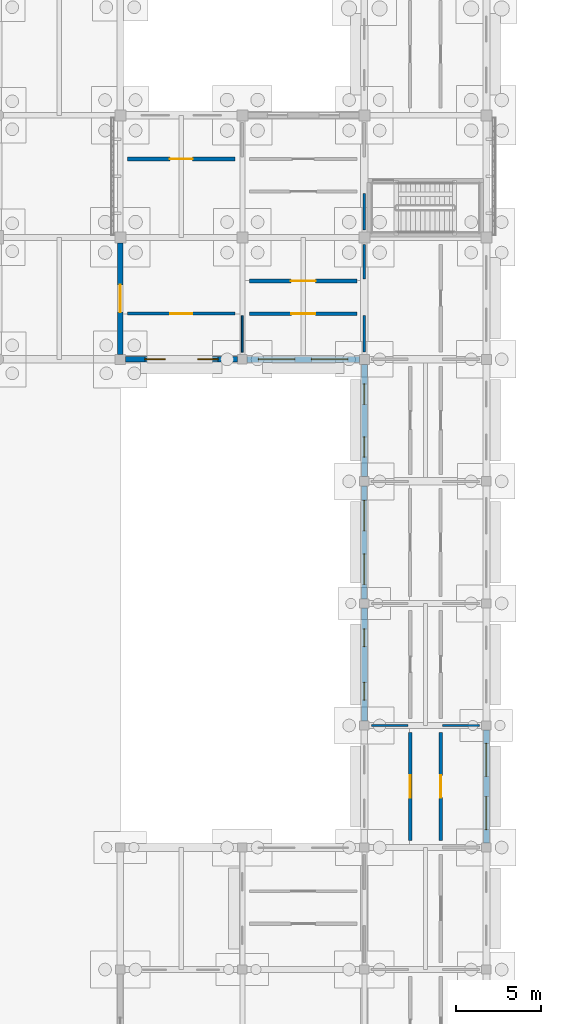
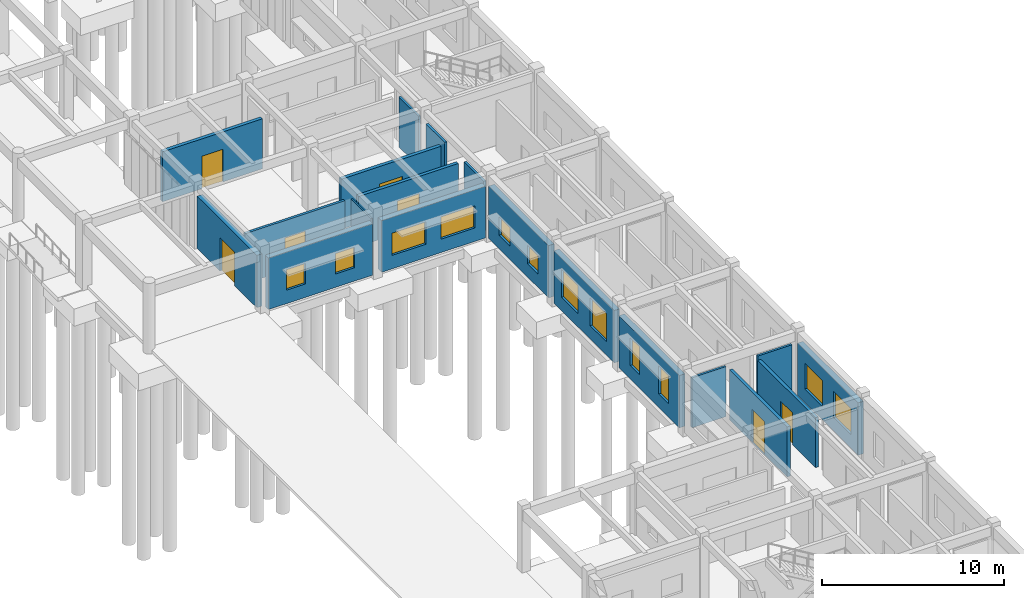
# One storey, part 78 of 111: 19 walls, 12 windows, 7 doors, 19 openings.
"""IFC4 building model written with IfcOpenShell, lengths in metres."""

from ifc_helpers import new_model, si_unit, direction, frame, frame_2d, origin, place, context, subcontext, project, spatial, rectangle, extrude, material, layer, layer_set, type_object, element, fill, save


model = new_model("IFC4")

# Units and contexts
model_context = context("Model", 3, precision=1e-05, world=origin(), true_north=direction((0.0, 1.0)))
body_context = subcontext(model_context, "Body", "Model", "MODEL_VIEW")
ifc_project = project(units=[si_unit("LENGTHUNIT", "METRE"), si_unit("AREAUNIT", "SQUARE_METRE"), si_unit("VOLUMEUNIT", "CUBIC_METRE"), si_unit("PLANEANGLEUNIT", "RADIAN"), si_unit("MASSUNIT", "GRAM", prefix="KILO")], contexts=[model_context])

# Site, building, storey
site_placement = place(None, origin())
site = spatial("IfcSite", under=ifc_project, at=site_placement, CompositionType="ELEMENT")
building_placement = place(site_placement, origin())
building = spatial("IfcBuilding", under=site, at=building_placement, Name="Aldebral Square Health Centre", CompositionType="ELEMENT")
storey_placement = place(building_placement, origin())
storey = spatial("IfcBuildingStorey", under=building, at=storey_placement, Name="L00", CompositionType="ELEMENT", Elevation=0.0)

# Wall, openings, windows
ifc_material_1 = material(Name="Cream cantera stone and concrete wall C35/45", Category="masonry")
ifc_layer_1 = layer(ifc_material_1, 0.340087890625, Name="Cream cantera stone and concrete wall C35/45", Category="masonry")
ifc_layer_set_1 = layer_set([ifc_layer_1], Name="Cream cantera stone and concrete wall C35/45")
wall_type_1 = type_object("IfcWallType", Name="EW-CAN-340", PredefinedType="SOLIDWALL", material=ifc_layer_set_1)
wall_1_placement = place(storey_placement, frame((144.300048828125, 50.39990234375, 0.0), z_axis=(0.0, 0.0, 1.0), x_axis=(1.0, 0.0, 0.0)))
wall_1 = element("IfcWall", 1, at=wall_1_placement, inside=storey, type_object=wall_type_1, Name="L00 V5 exterior wall L00-V5-20-07-S", PredefinedType="SOLIDWALL", context=body_context, shape_type="SweptSolid", body=[
    extrude(rectangle(XDim=6.625, YDim=0.340087890625, at=frame_2d((3.3125, 0.0))), origin(), (0.0, 0.0, 1.0), 3.469970703125),
])
opening_1_placement = place(wall_1_placement, frame((1.14990234375, 0.0, 0.89990234375)))
opening_1 = element("IfcOpeningElement", 2, at=opening_1_placement, cuts=wall_1, Name="Opening W12", PredefinedType="OPENING", context=body_context, shape_type="SweptSolid", body=[
    extrude(rectangle(XDim=1.199951171875, YDim=1.3798828125, at=frame_2d((0.60009765625, 0.68994140625))), frame((0.0, 0.18017578125, 0.0), z_axis=(0.0, -1.0, 0.0), x_axis=(1.0, 0.0, 0.0)), (0.0, 0.0, 1.0), 0.360107421875),
])
opening_2_placement = place(wall_1_placement, frame((4.27490234375, 0.0, 0.89990234375)))
opening_2 = element("IfcOpeningElement", 3, at=opening_2_placement, cuts=wall_1, Name="Opening W12", PredefinedType="OPENING", context=body_context, shape_type="SweptSolid", body=[
    extrude(rectangle(XDim=1.199951171875, YDim=1.3798828125, at=frame_2d((0.60009765625, 0.68994140625))), frame((0.0, 0.18017578125, 0.0), z_axis=(0.0, -1.0, 0.0), x_axis=(1.0, 0.0, 0.0)), (0.0, 0.0, 1.0), 0.360107421875),
])
ifc_material_2 = material(Name="Thermally broken aluminium and low-E glass", Category="aluminium")
window_type_1 = type_object("IfcWindowType", Name="WIN-W12", PartitioningType="SINGLE_PANEL", PredefinedType="WINDOW", material=ifc_material_2)
window_1_placement = place(opening_1_placement, origin())
window_1 = element("IfcWindow", 4, at=window_1_placement, inside=storey, type_object=window_type_1, Name="L00 clinical window L00-V5-20-07-S.1", OverallHeight=1.3798828125, OverallWidth=1.199951171875, PartitioningType="SINGLE_PANEL", PredefinedType="WINDOW", context=body_context, shape_type="SweptSolid", body=[
    extrude(rectangle(XDim=1.199951171875, YDim=1.3798828125, at=frame_2d((0.60009765625, 0.68994140625))), frame((0.0, 0.030029296875, 0.0), z_axis=(0.0, -1.0, 0.0), x_axis=(1.0, 0.0, 0.0)), (0.0, 0.0, 1.0), 0.06005859375),
])
fill(opening_1, window_1)
window_2_placement = place(opening_2_placement, origin())
window_2 = element("IfcWindow", 5, at=window_2_placement, inside=storey, type_object=window_type_1, Name="L00 clinical window L00-V5-20-07-S.2", OverallHeight=1.3798828125, OverallWidth=1.199951171875, PartitioningType="SINGLE_PANEL", PredefinedType="WINDOW", context=body_context, shape_type="SweptSolid", body=[
    extrude(rectangle(XDim=1.199951171875, YDim=1.3798828125, at=frame_2d((0.60009765625, 0.68994140625))), frame((0.0, 0.030029296875, 0.0), z_axis=(0.0, -1.0, 0.0), x_axis=(1.0, 0.0, 0.0)), (0.0, 0.0, 1.0), 0.06005859375),
])
fill(opening_2, window_2)

# Wall, opening, door
wall_2_placement = place(storey_placement, frame((144.0, 50.699951171875, 0.0), z_axis=(0.0, 0.0, 1.0), x_axis=(0.0, 1.0, 0.0)))
wall_2 = element("IfcWall", 6, at=wall_2_placement, inside=storey, type_object=wall_type_1, Name="L00 V5 exterior wall L00-V5-20-07-W", PredefinedType="SOLIDWALL", context=body_context, shape_type="SweptSolid", body=[
    extrude(rectangle(XDim=6.574951171875, YDim=0.340087890625, at=frame_2d((3.28759765625, 0.0))), origin(), (0.0, 0.0, 1.0), 3.52001953125),
])
opening_3_placement = place(wall_2_placement, frame((2.487548828125, 0.0, 0.0)))
opening_3 = element("IfcOpeningElement", 7, at=opening_3_placement, cuts=wall_2, Name="Opening D-EX06", PredefinedType="OPENING", context=body_context, shape_type="SweptSolid", body=[
    extrude(rectangle(XDim=1.60009765625, YDim=2.25, at=frame_2d((0.800048828125, 1.125))), frame((0.0, 0.18017578125, 0.0), z_axis=(0.0, -1.0, 0.0), x_axis=(1.0, 0.0, 0.0)), (0.0, 0.0, 1.0), 0.360107421875),
])
ifc_material_3 = material(Name="Anodised aluminium and laminated safety glass", Category="aluminium")
door_type_1 = type_object("IfcDoorType", Name="DR-EX-160", OperationType="DOUBLE_DOOR_SINGLE_SWING", PredefinedType="DOOR", material=ifc_material_3)
door_1_placement = place(opening_3_placement, origin())
door_1 = element("IfcDoor", 8, at=door_1_placement, inside=storey, type_object=door_type_1, Name="L00 exterior door D-EX06", OperationType="DOUBLE_DOOR_SINGLE_SWING", OverallHeight=2.25, OverallWidth=1.60009765625, PredefinedType="DOOR", context=body_context, shape_type="SweptSolid", body=[
    extrude(rectangle(XDim=1.60009765625, YDim=2.25, at=frame_2d((0.800048828125, 1.125))), frame((0.0, 0.02490234375, 0.0), z_axis=(0.0, -1.0, 0.0), x_axis=(1.0, 0.0, 0.0)), (0.0, 0.0, 1.0), 0.050048828125),
])
fill(opening_3, door_1)

# Wall, openings, windows
wall_3_placement = place(storey_placement, frame((165.60009765625, 21.875, 0.0), z_axis=(0.0, 0.0, 1.0), x_axis=(0.0, 1.0, 0.0)))
wall_3 = element("IfcWall", 9, at=wall_3_placement, inside=storey, type_object=wall_type_1, Name="L00 V3 exterior wall L00-V3-22-03-E", PredefinedType="SOLIDWALL", context=body_context, shape_type="SweptSolid", body=[
    extrude(rectangle(XDim=6.64990234375, YDim=0.340087890625, at=frame_2d((3.324951171875, 0.0))), origin(), (0.0, 0.0, 1.0), 3.52001953125),
])
opening_4_placement = place(wall_3_placement, frame((0.77490234375, 0.0, 0.89990234375)))
opening_4 = element("IfcOpeningElement", 10, at=opening_4_placement, cuts=wall_3, Name="Opening W44", PredefinedType="OPENING", context=body_context, shape_type="SweptSolid", body=[
    extrude(rectangle(XDim=1.949951171875, YDim=1.75, at=frame_2d((0.97509765625, 0.875))), frame((0.0, 0.18017578125, 0.0), z_axis=(0.0, -1.0, 0.0), x_axis=(1.0, 0.0, 0.0)), (0.0, 0.0, 1.0), 0.360107421875),
])
opening_5_placement = place(wall_3_placement, frame((3.925048828125, 0.0, 0.89990234375)))
opening_5 = element("IfcOpeningElement", 11, at=opening_5_placement, cuts=wall_3, Name="Opening W44", PredefinedType="OPENING", context=body_context, shape_type="SweptSolid", body=[
    extrude(rectangle(XDim=1.949951171875, YDim=1.75, at=frame_2d((0.97509765625, 0.875))), frame((0.0, 0.18017578125, 0.0), z_axis=(0.0, -1.0, 0.0), x_axis=(1.0, 0.0, 0.0)), (0.0, 0.0, 1.0), 0.360107421875),
])
window_type_2 = type_object("IfcWindowType", Name="WIN-W44", PartitioningType="SINGLE_PANEL", PredefinedType="WINDOW", material=ifc_material_2)
window_3_placement = place(opening_4_placement, origin())
window_3 = element("IfcWindow", 12, at=window_3_placement, inside=storey, type_object=window_type_2, Name="L00 clinical window L00-V3-22-03-E.1", OverallHeight=1.75, OverallWidth=1.949951171875, PartitioningType="SINGLE_PANEL", PredefinedType="WINDOW", context=body_context, shape_type="SweptSolid", body=[
    extrude(rectangle(XDim=1.949951171875, YDim=1.75, at=frame_2d((0.97509765625, 0.875))), frame((0.0, 0.030029296875, 0.0), z_axis=(0.0, -1.0, 0.0), x_axis=(1.0, 0.0, 0.0)), (0.0, 0.0, 1.0), 0.06005859375),
])
fill(opening_4, window_3)
window_4_placement = place(opening_5_placement, origin())
window_4 = element("IfcWindow", 13, at=window_4_placement, inside=storey, type_object=window_type_2, Name="L00 clinical window L00-V3-22-03-E.2", OverallHeight=1.75, OverallWidth=1.949951171875, PartitioningType="SINGLE_PANEL", PredefinedType="WINDOW", context=body_context, shape_type="SweptSolid", body=[
    extrude(rectangle(XDim=1.949951171875, YDim=1.75, at=frame_2d((0.97509765625, 0.875))), frame((0.0, 0.030029296875, 0.0), z_axis=(0.0, -1.0, 0.0), x_axis=(1.0, 0.0, 0.0)), (0.0, 0.0, 1.0), 0.06005859375),
])
fill(opening_5, window_4)

wall_4_placement = place(storey_placement, frame((158.39990234375, 42.925048828125, 0.0), z_axis=(0.0, 0.0, 1.0), x_axis=(0.0, -1.0, 0.0)))
wall_4 = element("IfcWall", 14, at=wall_4_placement, inside=storey, type_object=wall_type_1, Name="L00 V3 exterior wall L00-V3-22-05-W", PredefinedType="SOLIDWALL", context=body_context, shape_type="SweptSolid", body=[
    extrude(rectangle(XDim=6.650146484375, YDim=0.340087890625, at=frame_2d((3.3251953125, 0.0))), origin(), (0.0, 0.0, 1.0), 3.52001953125),
])
opening_6_placement = place(wall_4_placement, frame((0.85009765625, 0.0, 0.89990234375)))
opening_6 = element("IfcOpeningElement", 15, at=opening_6_placement, cuts=wall_4, Name="Opening W52", PredefinedType="OPENING", context=body_context, shape_type="SweptSolid", body=[
    extrude(rectangle(XDim=1.800048828125, YDim=1.8798828125, at=frame_2d((0.89990234375, 0.93994140625))), frame((0.0, 0.18017578125, 0.0), z_axis=(0.0, -1.0, 0.0), x_axis=(1.0, 0.0, 0.0)), (0.0, 0.0, 1.0), 0.360107421875),
])
opening_7_placement = place(wall_4_placement, frame((4.0, 0.0, 0.89990234375)))
opening_7 = element("IfcOpeningElement", 16, at=opening_7_placement, cuts=wall_4, Name="Opening W52", PredefinedType="OPENING", context=body_context, shape_type="SweptSolid", body=[
    extrude(rectangle(XDim=1.800048828125, YDim=1.8798828125, at=frame_2d((0.89990234375, 0.93994140625))), frame((0.0, 0.18017578125, 0.0), z_axis=(0.0, -1.0, 0.0), x_axis=(1.0, 0.0, 0.0)), (0.0, 0.0, 1.0), 0.360107421875),
])
window_type_3 = type_object("IfcWindowType", Name="WIN-W52", PartitioningType="SINGLE_PANEL", PredefinedType="WINDOW", material=ifc_material_2)
window_5_placement = place(opening_6_placement, origin())
window_5 = element("IfcWindow", 17, at=window_5_placement, inside=storey, type_object=window_type_3, Name="L00 clinical window L00-V3-22-05-W.1", OverallHeight=1.8798828125, OverallWidth=1.800048828125, PartitioningType="SINGLE_PANEL", PredefinedType="WINDOW", context=body_context, shape_type="SweptSolid", body=[
    extrude(rectangle(XDim=1.800048828125, YDim=1.8798828125, at=frame_2d((0.89990234375, 0.93994140625))), frame((0.0, 0.030029296875, 0.0), z_axis=(0.0, -1.0, 0.0), x_axis=(1.0, 0.0, 0.0)), (0.0, 0.0, 1.0), 0.06005859375),
])
fill(opening_6, window_5)
window_6_placement = place(opening_7_placement, origin())
window_6 = element("IfcWindow", 18, at=window_6_placement, inside=storey, type_object=window_type_3, Name="L00 clinical window L00-V3-22-05-W.2", OverallHeight=1.8798828125, OverallWidth=1.800048828125, PartitioningType="SINGLE_PANEL", PredefinedType="WINDOW", context=body_context, shape_type="SweptSolid", body=[
    extrude(rectangle(XDim=1.800048828125, YDim=1.8798828125, at=frame_2d((0.89990234375, 0.93994140625))), frame((0.0, 0.030029296875, 0.0), z_axis=(0.0, -1.0, 0.0), x_axis=(1.0, 0.0, 0.0)), (0.0, 0.0, 1.0), 0.06005859375),
])
fill(opening_7, window_6)

ifc_layer_2 = layer(ifc_material_1, 0.360107421875, Name="Cream cantera stone and concrete wall C35/45", Category="masonry")
ifc_layer_set_2 = layer_set([ifc_layer_2], Name="Cream cantera stone and concrete wall C35/45")
wall_type_2 = type_object("IfcWallType", Name="EW-CAN-360", PredefinedType="SOLIDWALL", material=ifc_layer_set_2)
wall_5_placement = place(storey_placement, frame((151.47509765625, 50.39990234375, 0.0), z_axis=(0.0, 0.0, 1.0), x_axis=(1.0, 0.0, 0.0)))
wall_5 = element("IfcWall", 19, at=wall_5_placement, inside=storey, type_object=wall_type_2, Name="L00 V5 exterior wall L00-V5-21-07-S", PredefinedType="SOLIDWALL", context=body_context, shape_type="SweptSolid", body=[
    extrude(rectangle(XDim=6.625, YDim=0.360107421875, at=frame_2d((3.3125, 0.0))), origin(), (0.0, 0.0, 1.0), 3.469970703125),
])
opening_8_placement = place(wall_5_placement, frame((0.675048828125, 0.0, 0.89990234375)))
opening_8 = element("IfcOpeningElement", 20, at=opening_8_placement, cuts=wall_5, Name="Opening W27", PredefinedType="OPENING", context=body_context, shape_type="SweptSolid", body=[
    extrude(rectangle(XDim=2.14990234375, YDim=1.5, at=frame_2d((1.074951171875, 0.75))), frame((0.0, 0.18994140625, 0.0), z_axis=(0.0, -1.0, 0.0), x_axis=(1.0, 0.0, 0.0)), (0.0, 0.0, 1.0), 0.380126953125),
])
opening_9_placement = place(wall_5_placement, frame((3.800048828125, 0.0, 0.89990234375)))
opening_9 = element("IfcOpeningElement", 21, at=opening_9_placement, cuts=wall_5, Name="Opening W27", PredefinedType="OPENING", context=body_context, shape_type="SweptSolid", body=[
    extrude(rectangle(XDim=2.14990234375, YDim=1.5, at=frame_2d((1.074951171875, 0.75))), frame((0.0, 0.18994140625, 0.0), z_axis=(0.0, -1.0, 0.0), x_axis=(1.0, 0.0, 0.0)), (0.0, 0.0, 1.0), 0.380126953125),
])
window_type_4 = type_object("IfcWindowType", Name="WIN-W27", PartitioningType="SINGLE_PANEL", PredefinedType="WINDOW", material=ifc_material_2)
window_7_placement = place(opening_8_placement, origin())
window_7 = element("IfcWindow", 22, at=window_7_placement, inside=storey, type_object=window_type_4, Name="L00 clinical window L00-V5-21-07-S.1", OverallHeight=1.5, OverallWidth=2.14990234375, PartitioningType="SINGLE_PANEL", PredefinedType="WINDOW", context=body_context, shape_type="SweptSolid", body=[
    extrude(rectangle(XDim=2.14990234375, YDim=1.5, at=frame_2d((1.074951171875, 0.75))), frame((0.0, 0.030029296875, 0.0), z_axis=(0.0, -1.0, 0.0), x_axis=(1.0, 0.0, 0.0)), (0.0, 0.0, 1.0), 0.06005859375),
])
fill(opening_8, window_7)
window_8_placement = place(opening_9_placement, origin())
window_8 = element("IfcWindow", 23, at=window_8_placement, inside=storey, type_object=window_type_4, Name="L00 clinical window L00-V5-21-07-S.2", OverallHeight=1.5, OverallWidth=2.14990234375, PartitioningType="SINGLE_PANEL", PredefinedType="WINDOW", context=body_context, shape_type="SweptSolid", body=[
    extrude(rectangle(XDim=2.14990234375, YDim=1.5, at=frame_2d((1.074951171875, 0.75))), frame((0.0, 0.030029296875, 0.0), z_axis=(0.0, -1.0, 0.0), x_axis=(1.0, 0.0, 0.0)), (0.0, 0.0, 1.0), 0.06005859375),
])
fill(opening_9, window_8)

wall_6_placement = place(storey_placement, frame((158.39990234375, 35.72509765625, 0.0), z_axis=(0.0, 0.0, 1.0), x_axis=(0.0, -1.0, 0.0)))
wall_6 = element("IfcWall", 24, at=wall_6_placement, inside=storey, type_object=wall_type_2, Name="L00 V3 exterior wall L00-V3-22-04-W", PredefinedType="SOLIDWALL", context=body_context, shape_type="SweptSolid", body=[
    extrude(rectangle(XDim=6.650146484375, YDim=0.360107421875, at=frame_2d((3.3251953125, 0.0))), origin(), (0.0, 0.0, 1.0), 3.52001953125),
])
opening_10_placement = place(wall_6_placement, frame((1.22509765625, 0.0, 0.89990234375)))
opening_10 = element("IfcOpeningElement", 25, at=opening_10_placement, cuts=wall_6, Name="Opening W47", PredefinedType="OPENING", context=body_context, shape_type="SweptSolid", body=[
    extrude(rectangle(XDim=1.050048828125, YDim=1.8798828125, at=frame_2d((0.52490234375, 0.93994140625))), frame((0.0, 0.18994140625, 0.0), z_axis=(0.0, -1.0, 0.0), x_axis=(1.0, 0.0, 0.0)), (0.0, 0.0, 1.0), 0.380126953125),
])
opening_11_placement = place(wall_6_placement, frame((4.375, 0.0, 0.89990234375)))
opening_11 = element("IfcOpeningElement", 26, at=opening_11_placement, cuts=wall_6, Name="Opening W47", PredefinedType="OPENING", context=body_context, shape_type="SweptSolid", body=[
    extrude(rectangle(XDim=1.050048828125, YDim=1.8798828125, at=frame_2d((0.52490234375, 0.93994140625))), frame((0.0, 0.18994140625, 0.0), z_axis=(0.0, -1.0, 0.0), x_axis=(1.0, 0.0, 0.0)), (0.0, 0.0, 1.0), 0.380126953125),
])
window_type_5 = type_object("IfcWindowType", Name="WIN-W47", PartitioningType="SINGLE_PANEL", PredefinedType="WINDOW", material=ifc_material_2)
window_9_placement = place(opening_10_placement, origin())
window_9 = element("IfcWindow", 27, at=window_9_placement, inside=storey, type_object=window_type_5, Name="L00 clinical window L00-V3-22-04-W.1", OverallHeight=1.8798828125, OverallWidth=1.050048828125, PartitioningType="SINGLE_PANEL", PredefinedType="WINDOW", context=body_context, shape_type="SweptSolid", body=[
    extrude(rectangle(XDim=1.050048828125, YDim=1.8798828125, at=frame_2d((0.52490234375, 0.93994140625))), frame((0.0, 0.030029296875, 0.0), z_axis=(0.0, -1.0, 0.0), x_axis=(1.0, 0.0, 0.0)), (0.0, 0.0, 1.0), 0.06005859375),
])
fill(opening_10, window_9)
window_10_placement = place(opening_11_placement, origin())
window_10 = element("IfcWindow", 28, at=window_10_placement, inside=storey, type_object=window_type_5, Name="L00 clinical window L00-V3-22-04-W.2", OverallHeight=1.8798828125, OverallWidth=1.050048828125, PartitioningType="SINGLE_PANEL", PredefinedType="WINDOW", context=body_context, shape_type="SweptSolid", body=[
    extrude(rectangle(XDim=1.050048828125, YDim=1.8798828125, at=frame_2d((0.52490234375, 0.93994140625))), frame((0.0, 0.030029296875, 0.0), z_axis=(0.0, -1.0, 0.0), x_axis=(1.0, 0.0, 0.0)), (0.0, 0.0, 1.0), 0.06005859375),
])
fill(opening_11, window_10)

wall_7_placement = place(storey_placement, frame((158.39990234375, 50.10009765625, 0.0), z_axis=(0.0, 0.0, 1.0), x_axis=(0.0, -1.0, 0.0)))
wall_7 = element("IfcWall", 29, at=wall_7_placement, inside=storey, type_object=wall_type_2, Name="L00 V3 exterior wall L00-V3-22-06-W", PredefinedType="SOLIDWALL", context=body_context, shape_type="SweptSolid", body=[
    extrude(rectangle(XDim=6.625, YDim=0.360107421875, at=frame_2d((3.3125, 0.0))), origin(), (0.0, 0.0, 1.0), 3.52001953125),
])
opening_12_placement = place(wall_7_placement, frame((1.14990234375, 0.0, 0.89990234375)))
opening_12 = element("IfcOpeningElement", 30, at=opening_12_placement, cuts=wall_7, Name="Opening W03", PredefinedType="OPENING", context=body_context, shape_type="SweptSolid", body=[
    extrude(rectangle(XDim=1.199951171875, YDim=1.25, at=frame_2d((0.60009765625, 0.625))), frame((0.0, 0.18994140625, 0.0), z_axis=(0.0, -1.0, 0.0), x_axis=(1.0, 0.0, 0.0)), (0.0, 0.0, 1.0), 0.380126953125),
])
opening_13_placement = place(wall_7_placement, frame((4.27490234375, 0.0, 0.89990234375)))
opening_13 = element("IfcOpeningElement", 31, at=opening_13_placement, cuts=wall_7, Name="Opening W03", PredefinedType="OPENING", context=body_context, shape_type="SweptSolid", body=[
    extrude(rectangle(XDim=1.199951171875, YDim=1.25, at=frame_2d((0.60009765625, 0.625))), frame((0.0, 0.18994140625, 0.0), z_axis=(0.0, -1.0, 0.0), x_axis=(1.0, 0.0, 0.0)), (0.0, 0.0, 1.0), 0.380126953125),
])
window_type_6 = type_object("IfcWindowType", Name="WIN-W03", PartitioningType="SINGLE_PANEL", PredefinedType="WINDOW", material=ifc_material_2)
window_11_placement = place(opening_12_placement, origin())
window_11 = element("IfcWindow", 32, at=window_11_placement, inside=storey, type_object=window_type_6, Name="L00 clinical window L00-V3-22-06-W.1", OverallHeight=1.25, OverallWidth=1.199951171875, PartitioningType="SINGLE_PANEL", PredefinedType="WINDOW", context=body_context, shape_type="SweptSolid", body=[
    extrude(rectangle(XDim=1.199951171875, YDim=1.25, at=frame_2d((0.60009765625, 0.625))), frame((0.0, 0.030029296875, 0.0), z_axis=(0.0, -1.0, 0.0), x_axis=(1.0, 0.0, 0.0)), (0.0, 0.0, 1.0), 0.06005859375),
])
fill(opening_12, window_11)
window_12_placement = place(opening_13_placement, origin())
window_12 = element("IfcWindow", 33, at=window_12_placement, inside=storey, type_object=window_type_6, Name="L00 clinical window L00-V3-22-06-W.2", OverallHeight=1.25, OverallWidth=1.199951171875, PartitioningType="SINGLE_PANEL", PredefinedType="WINDOW", context=body_context, shape_type="SweptSolid", body=[
    extrude(rectangle(XDim=1.199951171875, YDim=1.25, at=frame_2d((0.60009765625, 0.625))), frame((0.0, 0.030029296875, 0.0), z_axis=(0.0, -1.0, 0.0), x_axis=(1.0, 0.0, 0.0)), (0.0, 0.0, 1.0), 0.06005859375),
])
fill(opening_13, window_12)

# Wall, opening, door
ifc_material_4 = material(Name="Concrete C35/45 compartment wall", Category="concrete")
ifc_layer_3 = layer(ifc_material_4, 0.199951171875, Name="Concrete C35/45 compartment wall", Category="concrete")
ifc_layer_set_3 = layer_set([ifc_layer_3], Name="Concrete C35/45 compartment wall")
wall_type_3 = type_object("IfcWallType", Name="IW-CMP-200", PredefinedType="SOLIDWALL", material=ifc_layer_set_3)
wall_8_placement = place(storey_placement, frame((161.10009765625, 22.02001953125, 0.0), z_axis=(0.0, 0.0, 1.0), x_axis=(0.0, 1.0, 0.0)))
wall_8 = element("IfcWall", 34, at=wall_8_placement, inside=storey, type_object=wall_type_3, Name="L00 Physiotherapy Cubicles 23.4W corridor wall", PredefinedType="SOLIDWALL", context=body_context, shape_type="SweptSolid", body=[
    extrude(rectangle(XDim=6.35986328125, YDim=0.199951171875, at=frame_2d((3.179931640625, 0.0))), origin(), (0.0, 0.0, 1.0), 3.360107421875),
])
opening_14_placement = place(wall_8_placement, frame((2.5048828125, 0.0, 0.0)))
opening_14 = element("IfcOpeningElement", 35, at=opening_14_placement, cuts=wall_8, Name="Opening D-0082", PredefinedType="OPENING", context=body_context, shape_type="SweptSolid", body=[
    extrude(rectangle(XDim=1.35009765625, YDim=2.199951171875, at=frame_2d((0.675048828125, 1.10009765625))), frame((0.0, 0.10986328125, 0.0), z_axis=(0.0, -1.0, 0.0), x_axis=(1.0, 0.0, 0.0)), (0.0, 0.0, 1.0), 0.219970703125),
])
ifc_material_5 = material(Name="Lead-lined imaging suite door")
door_type_2 = type_object("IfcDoorType", Name="ID-IM-135", OperationType="NOTDEFINED", PredefinedType="DOOR", material=ifc_material_5)
door_2_placement = place(opening_14_placement, origin())
door_2 = element("IfcDoor", 36, at=door_2_placement, inside=storey, type_object=door_type_2, Name="L00 Physiotherapy Cubicles 23.4W door", OperationType="SINGLE_SWING_LEFT", OverallHeight=2.199951171875, OverallWidth=1.35009765625, PredefinedType="DOOR", context=body_context, shape_type="SweptSolid", body=[
    extrude(rectangle(XDim=1.35009765625, YDim=2.199951171875, at=frame_2d((0.675048828125, 1.10009765625))), frame((0.0, 0.02490234375, 0.0), z_axis=(0.0, -1.0, 0.0), x_axis=(1.0, 0.0, 0.0)), (0.0, 0.0, 1.0), 0.050048828125),
])
fill(opening_14, door_2)

wall_9_placement = place(storey_placement, frame((162.89990234375, 22.02001953125, 0.0), z_axis=(0.0, 0.0, 1.0), x_axis=(0.0, 1.0, 0.0)))
wall_9 = element("IfcWall", 37, at=wall_9_placement, inside=storey, type_object=wall_type_3, Name="L00 Gait Assessment Studio 23.4E corridor wall", PredefinedType="SOLIDWALL", context=body_context, shape_type="SweptSolid", body=[
    extrude(rectangle(XDim=6.35986328125, YDim=0.199951171875, at=frame_2d((3.179931640625, 0.0))), origin(), (0.0, 0.0, 1.0), 3.360107421875),
])
opening_15_placement = place(wall_9_placement, frame((2.530029296875, 0.0, 0.0)))
opening_15 = element("IfcOpeningElement", 38, at=opening_15_placement, cuts=wall_9, Name="Opening D-0083", PredefinedType="OPENING", context=body_context, shape_type="SweptSolid", body=[
    extrude(rectangle(XDim=1.300048828125, YDim=2.14990234375, at=frame_2d((0.64990234375, 1.074951171875))), frame((0.0, 0.10986328125, 0.0), z_axis=(0.0, -1.0, 0.0), x_axis=(1.0, 0.0, 0.0)), (0.0, 0.0, 1.0), 0.219970703125),
])
ifc_material_6 = material(Name="Radiography shielded fire door")
door_type_3 = type_object("IfcDoorType", Name="ID-IM-130", OperationType="NOTDEFINED", PredefinedType="DOOR", material=ifc_material_6)
door_3_placement = place(opening_15_placement, origin())
door_3 = element("IfcDoor", 39, at=door_3_placement, inside=storey, type_object=door_type_3, Name="L00 Gait Assessment Studio 23.4E door", OperationType="SINGLE_SWING_RIGHT", OverallHeight=2.14990234375, OverallWidth=1.300048828125, PredefinedType="DOOR", context=body_context, shape_type="SweptSolid", body=[
    extrude(rectangle(XDim=1.300048828125, YDim=2.14990234375, at=frame_2d((0.64990234375, 1.074951171875))), frame((0.0, 0.02490234375, 0.0), z_axis=(0.0, -1.0, 0.0), x_axis=(1.0, 0.0, 0.0)), (0.0, 0.0, 1.0), 0.050048828125),
])
fill(opening_15, door_3)

ifc_layer_4 = layer(ifc_material_4, 0.219970703125, Name="Concrete C35/45 compartment wall", Category="concrete")
ifc_layer_set_4 = layer_set([ifc_layer_4], Name="Concrete C35/45 compartment wall")
wall_type_4 = type_object("IfcWallType", Name="IW-CMP-220", PredefinedType="SOLIDWALL", material=ifc_layer_set_4)
wall_10_placement = place(storey_placement, frame((144.419921875, 62.219970703125, 0.0), z_axis=(0.0, 0.0, 1.0), x_axis=(1.0, 0.0, 0.0)))
wall_10 = element("IfcWall", 40, at=wall_10_placement, inside=storey, type_object=wall_type_4, Name="L00 Standby Power Plant Room 21.9N corridor wall", PredefinedType="SOLIDWALL", context=body_context, shape_type="SweptSolid", body=[
    extrude(rectangle(XDim=6.360107421875, YDim=0.219970703125, at=frame_2d((3.18017578125, 0.0))), origin(), (0.0, 0.0, 1.0), 3.360107421875),
])
opening_16_placement = place(wall_10_placement, frame((2.510009765625, 0.0, 0.0)))
opening_16 = element("IfcOpeningElement", 41, at=opening_16_placement, cuts=wall_10, Name="Opening D-0143", PredefinedType="OPENING", context=body_context, shape_type="SweptSolid", body=[
    extrude(rectangle(XDim=1.340087890625, YDim=2.18994140625, at=frame_2d((0.669921875, 1.094970703125))), frame((0.0, 0.1201171875, 0.0), z_axis=(0.0, -1.0, 0.0), x_axis=(1.0, 0.0, 0.0)), (0.0, 0.0, 1.0), 0.239990234375),
])
ifc_material_7 = material(Name="Clinical suite fire door")
door_type_4 = type_object("IfcDoorType", Name="ID-EXD-59", OperationType="NOTDEFINED", PredefinedType="DOOR", material=ifc_material_7)
door_4_placement = place(opening_16_placement, origin())
door_4 = element("IfcDoor", 42, at=door_4_placement, inside=storey, type_object=door_type_4, Name="L00 Standby Power Plant Room 21.9N door", OperationType="SINGLE_SWING_RIGHT", OverallHeight=2.18994140625, OverallWidth=1.340087890625, PredefinedType="DOOR", context=body_context, shape_type="SweptSolid", body=[
    extrude(rectangle(XDim=1.340087890625, YDim=2.18994140625, at=frame_2d((0.669921875, 1.094970703125))), frame((0.0, 0.02490234375, 0.0), z_axis=(0.0, -1.0, 0.0), x_axis=(1.0, 0.0, 0.0)), (0.0, 0.0, 1.0), 0.050048828125),
])
fill(opening_16, door_4)

wall_11_placement = place(storey_placement, frame((151.6201171875, 55.02001953125, 0.0), z_axis=(0.0, 0.0, 1.0), x_axis=(1.0, 0.0, 0.0)))
wall_11 = element("IfcWall", 43, at=wall_11_placement, inside=storey, type_object=wall_type_4, Name="L00 Maternal-Child Clinic 22.8N corridor wall", PredefinedType="SOLIDWALL", context=body_context, shape_type="SweptSolid", body=[
    extrude(rectangle(XDim=6.35986328125, YDim=0.219970703125, at=frame_2d((3.179931640625, 0.0))), origin(), (0.0, 0.0, 1.0), 3.360107421875),
])
opening_17_placement = place(wall_11_placement, frame((2.449951171875, 0.0, 0.0)))
opening_17 = element("IfcOpeningElement", 44, at=opening_17_placement, cuts=wall_11, Name="Opening D-0146", PredefinedType="OPENING", context=body_context, shape_type="SweptSolid", body=[
    extrude(rectangle(XDim=1.4599609375, YDim=2.18994140625, at=frame_2d((0.72998046875, 1.094970703125))), frame((0.0, 0.1201171875, 0.0), z_axis=(0.0, -1.0, 0.0), x_axis=(1.0, 0.0, 0.0)), (0.0, 0.0, 1.0), 0.239990234375),
])
door_type_5 = type_object("IfcDoorType", Name="ID-EXD-62", OperationType="NOTDEFINED", PredefinedType="DOOR", material=ifc_material_7)
door_5_placement = place(opening_17_placement, origin())
door_5 = element("IfcDoor", 45, at=door_5_placement, inside=storey, type_object=door_type_5, Name="L00 Maternal-Child Clinic 22.8N door", OperationType="SINGLE_SWING_LEFT", OverallHeight=2.18994140625, OverallWidth=1.4599609375, PredefinedType="DOOR", context=body_context, shape_type="SweptSolid", body=[
    extrude(rectangle(XDim=1.4599609375, YDim=2.18994140625, at=frame_2d((0.72998046875, 1.094970703125))), frame((0.0, 0.02490234375, 0.0), z_axis=(0.0, -1.0, 0.0), x_axis=(1.0, 0.0, 0.0)), (0.0, 0.0, 1.0), 0.050048828125),
])
fill(opening_17, door_5)

ifc_material_8 = material(Name="Fire-rated acoustic gypsum partition")
ifc_layer_5 = layer(ifc_material_8, 0.1650390625, Name="Fire-rated acoustic gypsum partition")
ifc_layer_set_5 = layer_set([ifc_layer_5], Name="Fire-rated acoustic gypsum partition")
wall_type_5 = type_object("IfcWallType", Name="IW-COR-165", PredefinedType="PARTITIONING", material=ifc_layer_set_5)
wall_12_placement = place(storey_placement, frame((144.419921875, 53.10009765625, 0.0), z_axis=(0.0, 0.0, 1.0), x_axis=(1.0, 0.0, 0.0)))
wall_12 = element("IfcWall", 46, at=wall_12_placement, inside=storey, type_object=wall_type_5, Name="L00 Medical Records Archive 21.8S corridor wall", PredefinedType="PARTITIONING", context=body_context, shape_type="SweptSolid", body=[
    extrude(rectangle(XDim=6.360107421875, YDim=0.1650390625, at=frame_2d((3.18017578125, 0.0))), origin(), (0.0, 0.0, 1.0), 3.360107421875),
])
opening_18_placement = place(wall_12_placement, frame((2.530029296875, 0.0, 0.0)))
opening_18 = element("IfcOpeningElement", 47, at=opening_18_placement, cuts=wall_12, Name="Opening D-0142", PredefinedType="OPENING", context=body_context, shape_type="SweptSolid", body=[
    extrude(rectangle(XDim=1.300048828125, YDim=2.18994140625, at=frame_2d((0.64990234375, 1.094970703125))), frame((0.0, 0.092529296875, 0.0), z_axis=(0.0, -1.0, 0.0), x_axis=(1.0, 0.0, 0.0)), (0.0, 0.0, 1.0), 0.18505859375),
])
door_type_6 = type_object("IfcDoorType", Name="ID-EXD-58", OperationType="NOTDEFINED", PredefinedType="DOOR", material=ifc_material_7)
door_6_placement = place(opening_18_placement, origin())
door_6 = element("IfcDoor", 48, at=door_6_placement, inside=storey, type_object=door_type_6, Name="L00 Medical Records Archive 21.8S door", OperationType="SINGLE_SWING_LEFT", OverallHeight=2.18994140625, OverallWidth=1.300048828125, PredefinedType="DOOR", context=body_context, shape_type="SweptSolid", body=[
    extrude(rectangle(XDim=1.300048828125, YDim=2.18994140625, at=frame_2d((0.64990234375, 1.094970703125))), frame((0.0, 0.02490234375, 0.0), z_axis=(0.0, -1.0, 0.0), x_axis=(1.0, 0.0, 0.0)), (0.0, 0.0, 1.0), 0.050048828125),
])
fill(opening_18, door_6)

ifc_material_9 = material(Name="Moisture-resistant sanitary chase wall")
ifc_layer_6 = layer(ifc_material_9, 0.2099609375, Name="Moisture-resistant sanitary chase wall")
ifc_layer_set_6 = layer_set([ifc_layer_6], Name="Moisture-resistant sanitary chase wall")
wall_type_6 = type_object("IfcWallType", Name="IW-PLB-210", PredefinedType="PLUMBINGWALL", material=ifc_layer_set_6)
wall_13_placement = place(storey_placement, frame((151.6201171875, 53.10009765625, 0.0), z_axis=(0.0, 0.0, 1.0), x_axis=(1.0, 0.0, 0.0)))
wall_13 = element("IfcWall", 49, at=wall_13_placement, inside=storey, type_object=wall_type_6, Name="L00 Public Toilet 22.8S corridor wall", PredefinedType="PLUMBINGWALL", context=body_context, shape_type="SweptSolid", body=[
    extrude(rectangle(XDim=6.35986328125, YDim=0.2099609375, at=frame_2d((3.179931640625, 0.0))), origin(), (0.0, 0.0, 1.0), 3.360107421875),
])
opening_19_placement = place(wall_13_placement, frame((2.469970703125, 0.0, 0.0)))
opening_19 = element("IfcOpeningElement", 50, at=opening_19_placement, cuts=wall_13, Name="Opening D-0145", PredefinedType="OPENING", context=body_context, shape_type="SweptSolid", body=[
    extrude(rectangle(XDim=1.419921875, YDim=2.18994140625, at=frame_2d((0.7099609375, 1.094970703125))), frame((0.0, 0.114990234375, 0.0), z_axis=(0.0, -1.0, 0.0), x_axis=(1.0, 0.0, 0.0)), (0.0, 0.0, 1.0), 0.22998046875),
])
door_type_7 = type_object("IfcDoorType", Name="ID-EXD-61", OperationType="NOTDEFINED", PredefinedType="DOOR", material=ifc_material_7)
door_7_placement = place(opening_19_placement, origin())
door_7 = element("IfcDoor", 51, at=door_7_placement, inside=storey, type_object=door_type_7, Name="L00 Public Toilet 22.8S door", OperationType="SINGLE_SWING_RIGHT", OverallHeight=2.18994140625, OverallWidth=1.419921875, PredefinedType="DOOR", context=body_context, shape_type="SweptSolid", body=[
    extrude(rectangle(XDim=1.419921875, YDim=2.18994140625, at=frame_2d((0.7099609375, 1.094970703125))), frame((0.0, 0.02490234375, 0.0), z_axis=(0.0, -1.0, 0.0), x_axis=(1.0, 0.0, 0.0)), (0.0, 0.0, 1.0), 0.050048828125),
])
fill(opening_19, door_7)

# Walls
ifc_material_10 = material(Name="Lightweight clinical partition")
ifc_layer_7 = layer(ifc_material_10, 0.10498046875, Name="Lightweight clinical partition")
ifc_layer_set_7 = layer_set([ifc_layer_7], Name="Lightweight clinical partition")
wall_type_7 = type_object("IfcWallType", Name="IW-PRT-105", PredefinedType="PARTITIONING", material=ifc_layer_set_7)
wall_14_placement = place(storey_placement, frame((151.199951171875, 50.820068359375, 0.0), z_axis=(0.0, 0.0, 1.0), x_axis=(0.0, 1.0, 0.0)))
element("IfcWall", 52, at=wall_14_placement, inside=storey, type_object=wall_type_7, Name="L00 Medical Records Archive 21.8S demising partition", PredefinedType="PARTITIONING", context=body_context, shape_type="SweptSolid", body=[
    extrude(rectangle(XDim=2.159912109375, YDim=0.10498046875, at=frame_2d((1.080078125, 0.0))), origin(), (0.0, 0.0, 1.0), 3.360107421875),
])
ifc_material_11 = material(Name="Acoustic clinical gypsum partition")
ifc_layer_8 = layer(ifc_material_11, 0.135009765625, Name="Acoustic clinical gypsum partition")
ifc_layer_set_8 = layer_set([ifc_layer_8], Name="Acoustic clinical gypsum partition")
wall_type_8 = type_object("IfcWallType", Name="IW-PRT-135", PredefinedType="PARTITIONING", material=ifc_layer_set_8)
for number, where, z_axis, x_axis, name in (
    (53, (158.820068359375, 28.800048828125, 0.0), (0.0, 0.0, 1.0), (1.0, 0.0, 0.0), "L00 Physiotherapy Cubicles 23.4W demising partition"),
    (54, (163.02001953125, 28.800048828125, 0.0), (0.0, 0.0, 1.0), (1.0, 0.0, 0.0), "L00 Gait Assessment Studio 23.4E demising partition"),
    (55, (158.39990234375, 58.02001953125, 0.0), (0.0, 0.0, 1.0), (0.0, 1.0, 0.0), "L00 Prenatal Ultrasound Room 22.9S demising partition"),
):
    element("IfcWall", number, at=place(storey_placement, frame(where, z_axis=z_axis, x_axis=x_axis)), inside=storey, type_object=wall_type_8, Name=name, PredefinedType="PARTITIONING", context=body_context, shape_type="SweptSolid", body=[
        extrude(rectangle(XDim=2.159912109375, YDim=0.135009765625, at=frame_2d((1.080078125, 0.0))), origin(), (0.0, 0.0, 1.0), 3.360107421875),
    ])
ifc_layer_9 = layer(ifc_material_11, 0.14990234375, Name="Acoustic clinical gypsum partition")
ifc_layer_set_9 = layer_set([ifc_layer_9], Name="Acoustic clinical gypsum partition")
wall_type_9 = type_object("IfcWallType", Name="IW-PRT-150", PredefinedType="PARTITIONING", material=ifc_layer_set_9)
wall_15_placement = place(storey_placement, frame((158.39990234375, 50.820068359375, 0.0), z_axis=(0.0, 0.0, 1.0), x_axis=(0.0, 1.0, 0.0)))
element("IfcWall", 56, at=wall_15_placement, inside=storey, type_object=wall_type_9, Name="L00 Public Toilet 22.8S demising partition", PredefinedType="PARTITIONING", context=body_context, shape_type="SweptSolid", body=[
    extrude(rectangle(XDim=2.159912109375, YDim=0.14990234375, at=frame_2d((1.080078125, 0.0))), origin(), (0.0, 0.0, 1.0), 3.360107421875),
])
wall_16_placement = place(storey_placement, frame((158.39990234375, 55.139892578125, 0.0), z_axis=(0.0, 0.0, 1.0), x_axis=(0.0, 1.0, 0.0)))
element("IfcWall", 57, at=wall_16_placement, inside=storey, type_object=wall_type_9, Name="L00 Maternal-Child Clinic 22.8N demising partition", PredefinedType="PARTITIONING", context=body_context, shape_type="SweptSolid", body=[
    extrude(rectangle(XDim=2.0400390625, YDim=0.14990234375, at=frame_2d((1.02001953125, 0.0))), origin(), (0.0, 0.0, 1.0), 3.360107421875),
])

save(model, "model.ifc")
